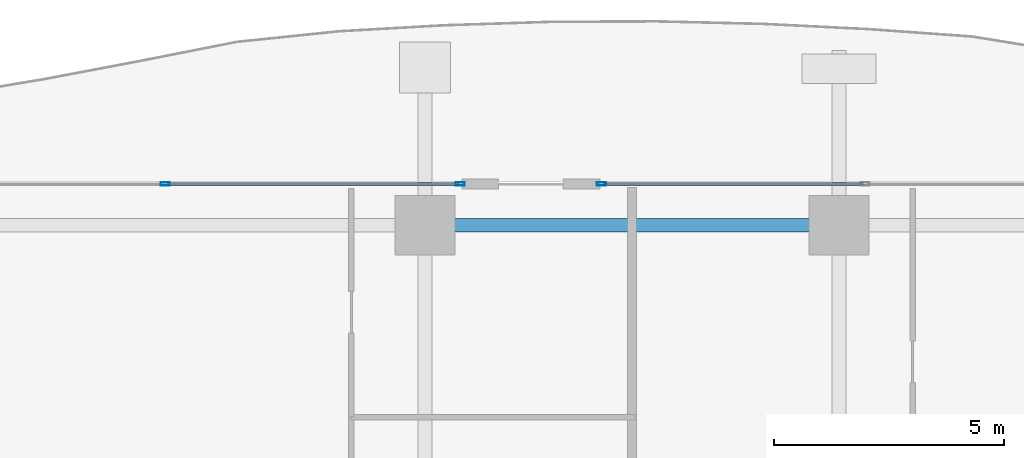
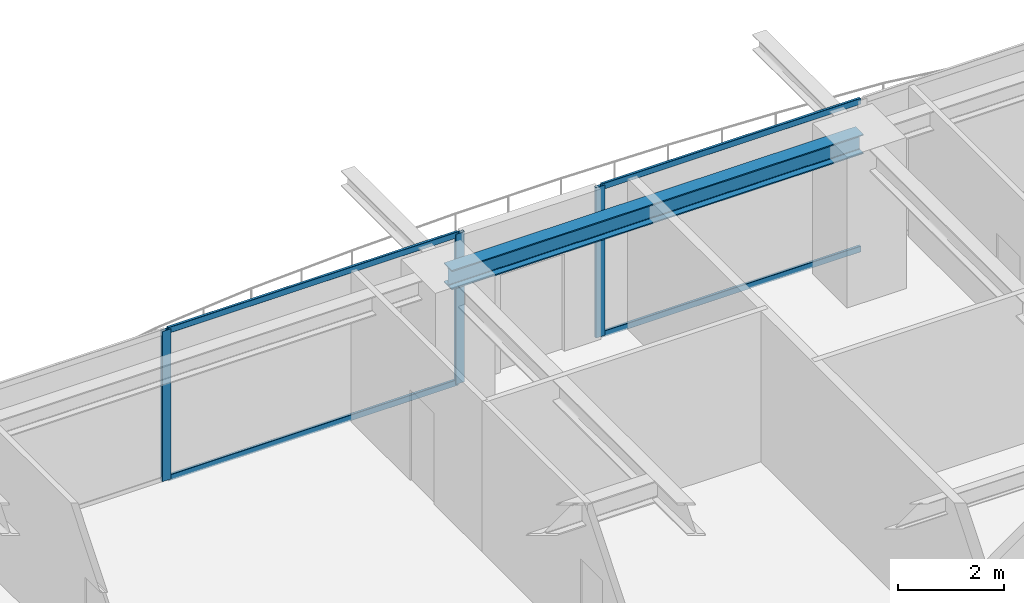
# One storey, part 21 of 38: 7 members, 1 beam, 2 elements without a shape of their own.
"""IFC4 building model written with IfcOpenShell, lengths in metres."""

from ifc_helpers import new_model, si_unit, direction, frame, origin, origin_2d, place, context, subcontext, project, spatial, hollow_rectangle, i_section, extrude, source, transform, mapped, material, layer, layer_set, material_profile, profile_set, type_object, element, aggregate, save


model = new_model("IFC4")

# Units and contexts
model_context = context("Model", 3, precision=1e-05, world=origin(), true_north=direction((0.0, 1.0)))
body_context = subcontext(model_context, "Body", "Model", "MODEL_VIEW")
ifc_project = project(units=[si_unit("LENGTHUNIT", "METRE"), si_unit("AREAUNIT", "SQUARE_METRE"), si_unit("VOLUMEUNIT", "CUBIC_METRE"), si_unit("PLANEANGLEUNIT", "RADIAN"), si_unit("MASSUNIT", "GRAM", prefix="KILO")], contexts=[model_context])

# Site, building, storey
site_placement = place(None, origin())
site = spatial("IfcSite", under=ifc_project, at=site_placement, CompositionType="ELEMENT")
building_placement = place(site_placement, origin())
building = spatial("IfcBuilding", under=site, at=building_placement, Name="Serunith Strait Residences", CompositionType="ELEMENT")
storey_placement = place(building_placement, frame((0.0, 0.0, 120.14990234375)))
storey = spatial("IfcBuildingStorey", under=building, at=storey_placement, Name="L29", CompositionType="ELEMENT", Elevation=120.14990234375)

# Beam
ifc_material_1 = material(Name="Steel S355J2", Category="steel")
ifc_material_profile_1 = material_profile(ifc_material_1, i_section(OverallWidth=0.300048828125, OverallDepth=0.449951171875, WebThickness=0.013916015625, FlangeThickness=0.02587890625, FilletRadius=0.027099609375, at=origin_2d()), Name="HEB 450")
ifc_profile_set_1 = profile_set([ifc_material_profile_1], Name="Steel S355J2")
beam_type = type_object("IfcBeamType", Name="BM-HEB450", PredefinedType="BEAM", material=ifc_profile_set_1)
shared_shape_1 = source(origin(), body_context, "Body", "SweptSolid", [
    extrude(i_section(OverallWidth=0.300048828125, OverallDepth=0.449951171875, WebThickness=0.013916015625, FlangeThickness=0.02587890625, FilletRadius=0.027099609375, at=origin_2d()), origin(), (0.0, 0.0, 1.0), 9.0),
])
beam_placement = place(storey_placement, frame((36.89990234375, 48.10009765625, 3.26220703125), z_axis=(-1.0, 0.0, 0.0), x_axis=(0.0, -1.0, 0.0)))
element("IfcBeam", 1, at=beam_placement, inside=storey, type_object=beam_type, Name="L29 Perimeter Ring Beam 10", PredefinedType="BEAM", context=body_context, shape_type="MappedRepresentation", body=[
    mapped(shared_shape_1, transform((0.0, 0.0, 0.0), scale=1.0)),
])

# Curtain wall, member
ifc_material_2 = material(Name="Pale-Champagne Anodised Aluminium", Category="aluminium")
ifc_layer = layer(ifc_material_2, 0.199951171875, Name="Pale-Champagne Anodised Aluminium")
ifc_layer_set = layer_set([ifc_layer], Name="Pale-Champagne Anodised Aluminium")
curtain_wall_type = type_object("IfcCurtainWallType", Name="CW-SYS2", PredefinedType="NOTDEFINED", material=ifc_layer_set)
curtain_wall_1_placement = place(storey_placement, origin())
curtain_wall_1 = element("IfcCurtainWall", 2, at=curtain_wall_1_placement, inside=storey, type_object=curtain_wall_type, Name="L29 N Unitised Fritted Curtain Wall", PredefinedType="NOTDEFINED")
ifc_material_profile_2 = material_profile(ifc_material_2, hollow_rectangle(XDim=0.070068359375, YDim=0.199951171875, WallThickness=0.00390625, InnerFilletRadius=0.006103515625, OuterFilletRadius=0.010009765625, at=origin_2d()), Name="ALU 200x70x4")
ifc_profile_set_2 = profile_set([ifc_material_profile_2], Name="Pale-Champagne Anodised Aluminium")
member_type_1 = type_object("IfcMemberType", Name="CW-SYS2-MULL", PredefinedType="MULLION", material=ifc_profile_set_2)
shared_shape_2 = source(origin(), body_context, "Body", "SweptSolid", [
    extrude(hollow_rectangle(XDim=0.070068359375, YDim=0.199951171875, WallThickness=0.00390625, InnerFilletRadius=0.006103515625, OuterFilletRadius=0.010009765625, at=origin_2d()), origin(), (0.0, 0.0, 1.0), 3.47509765625),
])
member_1_placement = place(storey_placement, frame((31.735107421875, 49.0, 0.0), z_axis=(0.0, 0.0, 1.0), x_axis=(0.0, -1.0, 0.0)))
member_1 = element("IfcMember", 3, at=member_1_placement, type_object=member_type_1, Name="CW-2 mullion 4", PredefinedType="MULLION", context=body_context, shape_type="MappedRepresentation", body=[
    mapped(shared_shape_2, transform((0.0, 0.0, 0.0), scale=1.0)),
])

# Curtain wall, members
curtain_wall_2_placement = place(storey_placement, origin())
curtain_wall_2 = element("IfcCurtainWall", 4, at=curtain_wall_2_placement, inside=storey, type_object=curtain_wall_type, Name="L29 N Unitised Fritted Curtain Wall", PredefinedType="NOTDEFINED")
member_2_placement = place(storey_placement, frame((28.6650390625, 49.0, 0.0), z_axis=(0.0, 0.0, 1.0), x_axis=(0.0, -1.0, 0.0)))
member_2 = element("IfcMember", 5, at=member_2_placement, type_object=member_type_1, Name="CW-2 mullion 1", PredefinedType="MULLION", context=body_context, shape_type="MappedRepresentation", body=[
    mapped(shared_shape_2, transform((0.0, 0.0, 0.0), scale=1.0)),
])
member_3_placement = place(storey_placement, frame((22.25, 49.0, 0.0), z_axis=(0.0, 0.0, 1.0), x_axis=(0.0, -1.0, 0.0)))
member_3 = element("IfcMember", 6, at=member_3_placement, type_object=member_type_1, Name="CW-2 mullion 2", PredefinedType="MULLION", context=body_context, shape_type="MappedRepresentation", body=[
    mapped(shared_shape_2, transform((0.0, 0.0, 0.0), scale=1.0)),
])

# Member
ifc_material_profile_3 = material_profile(ifc_material_2, hollow_rectangle(XDim=0.06005859375, YDim=0.139892578125, WallThickness=0.00341796875, InnerFilletRadius=0.00537109375, OuterFilletRadius=0.0087890625, at=origin_2d()), Name="ALU 140x60x3.5")
ifc_profile_set_3 = profile_set([ifc_material_profile_3], Name="Pale-Champagne Anodised Aluminium")
member_type_2 = type_object("IfcMemberType", Name="CW-SYS2-TRAN", PredefinedType="USERDEFINED", material=ifc_profile_set_3)
shared_shape_3 = source(origin(), body_context, "Body", "SweptSolid", [
    extrude(hollow_rectangle(XDim=0.06005859375, YDim=0.139892578125, WallThickness=0.00341796875, InnerFilletRadius=0.00537109375, OuterFilletRadius=0.0087890625, at=origin_2d()), origin(), (0.0, 0.0, 1.0), 5.66162109375),
])
member_4_placement = place(storey_placement, frame((37.431640625, 49.0, 0.030029296875), z_axis=(-1.0, 0.0, 0.0), x_axis=(0.0, -1.0, 0.0)))
member_4 = element("IfcMember", 7, at=member_4_placement, type_object=member_type_2, Name="CW-2 transom 3.1", ObjectType="TRANSOM", PredefinedType="USERDEFINED", context=body_context, shape_type="MappedRepresentation", body=[
    mapped(shared_shape_3, transform((0.0, 0.0, 0.0), scale=1.0)),
])

member_5_placement = place(storey_placement, frame((37.431640625, 49.0, 3.445068359375), z_axis=(-1.0, 0.0, 0.0), x_axis=(0.0, -1.0, 0.0)))
member_5 = element("IfcMember", 8, at=member_5_placement, type_object=member_type_2, Name="CW-2 transom 3.2", ObjectType="TRANSOM", PredefinedType="USERDEFINED", context=body_context, shape_type="MappedRepresentation", body=[
    mapped(shared_shape_3, transform((0.0, 0.0, 0.0), scale=1.0)),
])

aggregate(curtain_wall_1, [member_1, member_4, member_5])

shared_shape_4 = source(origin(), body_context, "Body", "SweptSolid", [
    extrude(hollow_rectangle(XDim=0.06005859375, YDim=0.139892578125, WallThickness=0.00341796875, InnerFilletRadius=0.00537109375, OuterFilletRadius=0.0087890625, at=origin_2d()), origin(), (0.0, 0.0, 1.0), 6.344970703125),
])
member_6_placement = place(storey_placement, frame((28.6298828125, 49.0, 0.030029296875), z_axis=(-1.0, 0.0, 0.0), x_axis=(0.0, -1.0, 0.0)))
member_6 = element("IfcMember", 9, at=member_6_placement, type_object=member_type_2, Name="CW-2 transom 1.1", ObjectType="TRANSOM", PredefinedType="USERDEFINED", context=body_context, shape_type="MappedRepresentation", body=[
    mapped(shared_shape_4, transform((0.0, 0.0, 0.0), scale=1.0)),
])

member_7_placement = place(storey_placement, frame((28.6298828125, 49.0, 3.445068359375), z_axis=(-1.0, 0.0, 0.0), x_axis=(0.0, -1.0, 0.0)))
member_7 = element("IfcMember", 10, at=member_7_placement, type_object=member_type_2, Name="CW-2 transom 1.2", ObjectType="TRANSOM", PredefinedType="USERDEFINED", context=body_context, shape_type="MappedRepresentation", body=[
    mapped(shared_shape_4, transform((0.0, 0.0, 0.0), scale=1.0)),
])

aggregate(curtain_wall_2, [member_2, member_3, member_6, member_7])

save(model, "model.ifc")
